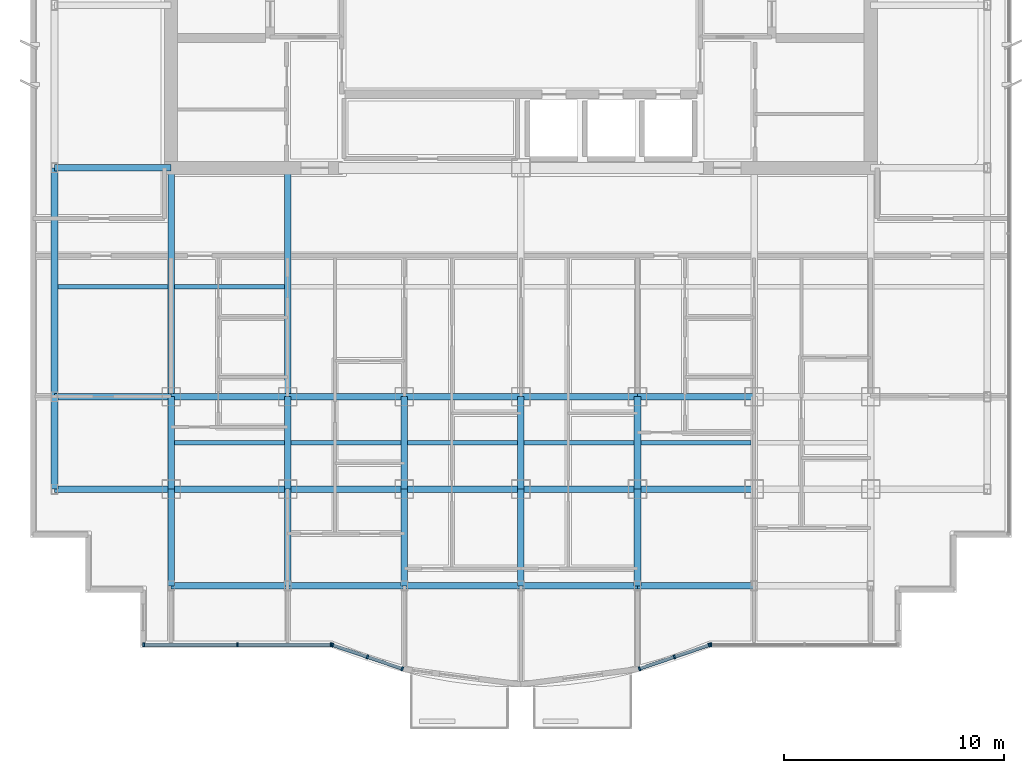
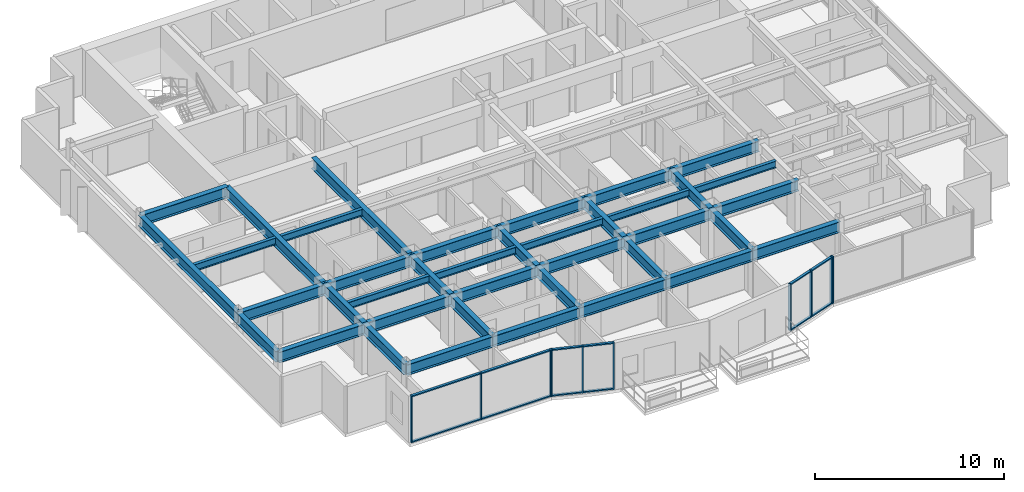
# One storey, part 2 of 13: 39 beams, 22 members, 4 elements without a shape of their own.
"""IFC4 building model written with IfcOpenShell, lengths in metres."""

from ifc_helpers import new_model, si_unit, direction, frame, origin, origin_2d, place, context, subcontext, project, spatial, rectangle, i_section, extrude, source, transform, mapped, material, layer, layer_set, material_profile, profile_set, type_object, element, aggregate, save


model = new_model("IFC4")

# Units and contexts
model_context = context("Model", 3, precision=1e-05, world=origin(), true_north=direction((0.0, 1.0)))
body_context = subcontext(model_context, "Body", "Model", "MODEL_VIEW")
ifc_project = project(units=[si_unit("LENGTHUNIT", "METRE"), si_unit("AREAUNIT", "SQUARE_METRE"), si_unit("VOLUMEUNIT", "CUBIC_METRE"), si_unit("PLANEANGLEUNIT", "RADIAN"), si_unit("MASSUNIT", "GRAM", prefix="KILO")], contexts=[model_context])

# Site, building, storey
site_placement = place(None, origin())
site = spatial("IfcSite", under=ifc_project, at=site_placement, CompositionType="ELEMENT")
building_placement = place(site_placement, origin())
building = spatial("IfcBuilding", under=site, at=building_placement, Name="Qianlan Lanfeng Residences", CompositionType="ELEMENT")
storey_placement = place(building_placement, frame((0.0, 0.0, 182.10009765625)))
storey = spatial("IfcBuildingStorey", under=building, at=storey_placement, Name="L50", CompositionType="ELEMENT", Elevation=182.10009765625)

# Beams
ifc_material_1 = material(Name="Steel SN490B", Category="steel")
ifc_material_profile_1 = material_profile(ifc_material_1, i_section(OverallWidth=0.300048828125, OverallDepth=0.699951171875, WebThickness=0.012939453125, FlangeThickness=0.02392578125, at=origin_2d()), Name="H 700x300x13x24")
ifc_profile_set_1 = profile_set([ifc_material_profile_1], Name="Steel SN490B")
beam_type_1 = type_object("IfcBeamType", Name="G-750", PredefinedType="BEAM", material=ifc_profile_set_1)
beam_1_placement = place(storey_placement, frame((5.300048828125, 10.60009765625, 2.679931640625), z_axis=(1.0, 0.0, 0.0), x_axis=(0.0, 1.0, 0.0)))
element("IfcBeam", 1, at=beam_1_placement, inside=storey, type_object=beam_type_1, Name="Structural beam G-750", PredefinedType="BEAM", context=body_context, shape_type="SweptSolid", body=[
    extrude(i_section(OverallWidth=0.300048828125, OverallDepth=0.699951171875, WebThickness=0.012939453125, FlangeThickness=0.02392578125, at=origin_2d()), origin(), (0.0, 0.0, 1.0), 5.300048828125),
])
beam_2_placement = place(storey_placement, frame((10.60009765625, 10.60009765625, 2.679931640625), z_axis=(1.0, 0.0, 0.0), x_axis=(0.0, 1.0, 0.0)))
element("IfcBeam", 2, at=beam_2_placement, inside=storey, type_object=beam_type_1, Name="Structural beam G-750", PredefinedType="BEAM", context=body_context, shape_type="SweptSolid", body=[
    extrude(i_section(OverallWidth=0.300048828125, OverallDepth=0.699951171875, WebThickness=0.012939453125, FlangeThickness=0.02392578125, at=origin_2d()), origin(), (0.0, 0.0, 1.0), 5.2998046875),
])
for number, where, z_axis, x_axis, name in (
    (3, (15.89990234375, 10.60009765625, 2.679931640625), (1.0, 0.0, 0.0), (0.0, 1.0, 0.0), "Structural beam G-750"),
    (4, (21.199951171875, 10.60009765625, 2.679931640625), (1.0, 0.0, 0.0), (0.0, 1.0, 0.0), "Structural beam G-750"),
    (5, (26.5, 10.60009765625, 2.679931640625), (1.0, 0.0, 0.0), (0.0, 1.0, 0.0), "Structural beam G-750"),
    (6, (31.800048828125, 10.60009765625, 2.679931640625), (1.0, 0.0, 0.0), (0.0, 1.0, 0.0), "Structural beam G-750"),
    (7, (5.300048828125, 14.800048828125, 2.679931640625), (1.0, 0.0, 0.0), (0.0, 1.0, 0.0), "Structural beam G-750"),
):
    element("IfcBeam", number, at=place(storey_placement, frame(where, z_axis=z_axis, x_axis=x_axis)), inside=storey, type_object=beam_type_1, Name=name, PredefinedType="BEAM", context=body_context, shape_type="SweptSolid", body=[
        extrude(i_section(OverallWidth=0.300048828125, OverallDepth=0.699951171875, WebThickness=0.012939453125, FlangeThickness=0.02392578125, at=origin_2d()), origin(), (0.0, 0.0, 1.0), 5.300048828125),
    ])
beam_3_placement = place(storey_placement, frame((10.60009765625, 14.800048828125, 2.679931640625), z_axis=(1.0, 0.0, 0.0), x_axis=(0.0, 1.0, 0.0)))
element("IfcBeam", 8, at=beam_3_placement, inside=storey, type_object=beam_type_1, Name="Structural beam G-750", PredefinedType="BEAM", context=body_context, shape_type="SweptSolid", body=[
    extrude(i_section(OverallWidth=0.300048828125, OverallDepth=0.699951171875, WebThickness=0.012939453125, FlangeThickness=0.02392578125, at=origin_2d()), origin(), (0.0, 0.0, 1.0), 5.2998046875),
])
for number, where, z_axis, x_axis, name in (
    (9, (15.89990234375, 14.800048828125, 2.679931640625), (1.0, 0.0, 0.0), (0.0, 1.0, 0.0), "Structural beam G-750"),
    (10, (21.199951171875, 14.800048828125, 2.679931640625), (1.0, 0.0, 0.0), (0.0, 1.0, 0.0), "Structural beam G-750"),
    (11, (26.5, 14.800048828125, 2.679931640625), (1.0, 0.0, 0.0), (0.0, 1.0, 0.0), "Structural beam G-750"),
    (12, (31.800048828125, 14.800048828125, 2.679931640625), (1.0, 0.0, 0.0), (0.0, 1.0, 0.0), "Structural beam G-750"),
    (13, (5.300048828125, 25.199951171875, 2.679931640625), (1.0, 0.0, 0.0), (0.0, 1.0, 0.0), "Structural beam G-750"),
):
    element("IfcBeam", number, at=place(storey_placement, frame(where, z_axis=z_axis, x_axis=x_axis)), inside=storey, type_object=beam_type_1, Name=name, PredefinedType="BEAM", context=body_context, shape_type="SweptSolid", body=[
        extrude(i_section(OverallWidth=0.300048828125, OverallDepth=0.699951171875, WebThickness=0.012939453125, FlangeThickness=0.02392578125, at=origin_2d()), origin(), (0.0, 0.0, 1.0), 5.300048828125),
    ])
beam_4_placement = place(storey_placement, frame((10.60009765625, 6.199951171875, 2.679931640625), z_axis=(0.0, 1.0, 0.0), x_axis=(-1.0, 0.0, 0.0)))
element("IfcBeam", 14, at=beam_4_placement, inside=storey, type_object=beam_type_1, Name="Structural beam G-750", PredefinedType="BEAM", context=body_context, shape_type="SweptSolid", body=[
    extrude(i_section(OverallWidth=0.300048828125, OverallDepth=0.699951171875, WebThickness=0.012939453125, FlangeThickness=0.02392578125, at=origin_2d()), origin(), (0.0, 0.0, 1.0), 4.400146484375),
])
beam_5_placement = place(storey_placement, frame((10.60009765625, 10.60009765625, 2.679931640625), z_axis=(0.0, 1.0, 0.0), x_axis=(-1.0, 0.0, 0.0)))
element("IfcBeam", 15, at=beam_5_placement, inside=storey, type_object=beam_type_1, Name="Structural beam G-750", PredefinedType="BEAM", context=body_context, shape_type="SweptSolid", body=[
    extrude(i_section(OverallWidth=0.300048828125, OverallDepth=0.699951171875, WebThickness=0.012939453125, FlangeThickness=0.02392578125, at=origin_2d()), origin(), (0.0, 0.0, 1.0), 4.199951171875),
])
beam_6_placement = place(storey_placement, frame((10.60009765625, 14.800048828125, 2.679931640625), z_axis=(0.0, 1.0, 0.0), x_axis=(-1.0, 0.0, 0.0)))
element("IfcBeam", 16, at=beam_6_placement, inside=storey, type_object=beam_type_1, Name="Structural beam G-750", PredefinedType="BEAM", context=body_context, shape_type="SweptSolid", body=[
    extrude(i_section(OverallWidth=0.300048828125, OverallDepth=0.699951171875, WebThickness=0.012939453125, FlangeThickness=0.02392578125, at=origin_2d()), origin(), (0.0, 0.0, 1.0), 10.39990234375),
])
beam_7_placement = place(storey_placement, frame((15.89990234375, 6.199951171875, 2.679931640625), z_axis=(0.0, 1.0, 0.0), x_axis=(-1.0, 0.0, 0.0)))
element("IfcBeam", 17, at=beam_7_placement, inside=storey, type_object=beam_type_1, Name="Structural beam G-750", PredefinedType="BEAM", context=body_context, shape_type="SweptSolid", body=[
    extrude(i_section(OverallWidth=0.300048828125, OverallDepth=0.699951171875, WebThickness=0.012939453125, FlangeThickness=0.02392578125, at=origin_2d()), origin(), (0.0, 0.0, 1.0), 4.400146484375),
])
beam_8_placement = place(storey_placement, frame((15.89990234375, 10.60009765625, 2.679931640625), z_axis=(0.0, 1.0, 0.0), x_axis=(-1.0, 0.0, 0.0)))
element("IfcBeam", 18, at=beam_8_placement, inside=storey, type_object=beam_type_1, Name="Structural beam G-750", PredefinedType="BEAM", context=body_context, shape_type="SweptSolid", body=[
    extrude(i_section(OverallWidth=0.300048828125, OverallDepth=0.699951171875, WebThickness=0.012939453125, FlangeThickness=0.02392578125, at=origin_2d()), origin(), (0.0, 0.0, 1.0), 4.199951171875),
])
beam_9_placement = place(storey_placement, frame((15.89990234375, 14.800048828125, 2.679931640625), z_axis=(0.0, 1.0, 0.0), x_axis=(-1.0, 0.0, 0.0)))
element("IfcBeam", 19, at=beam_9_placement, inside=storey, type_object=beam_type_1, Name="Structural beam G-750", PredefinedType="BEAM", context=body_context, shape_type="SweptSolid", body=[
    extrude(i_section(OverallWidth=0.300048828125, OverallDepth=0.699951171875, WebThickness=0.012939453125, FlangeThickness=0.02392578125, at=origin_2d()), origin(), (0.0, 0.0, 1.0), 10.39990234375),
])
beam_10_placement = place(storey_placement, frame((21.199951171875, 6.199951171875, 2.679931640625), z_axis=(0.0, 1.0, 0.0), x_axis=(-1.0, 0.0, 0.0)))
element("IfcBeam", 20, at=beam_10_placement, inside=storey, type_object=beam_type_1, Name="Structural beam G-750", PredefinedType="BEAM", context=body_context, shape_type="SweptSolid", body=[
    extrude(i_section(OverallWidth=0.300048828125, OverallDepth=0.699951171875, WebThickness=0.012939453125, FlangeThickness=0.02392578125, at=origin_2d()), origin(), (0.0, 0.0, 1.0), 4.400146484375),
])
beam_11_placement = place(storey_placement, frame((21.199951171875, 10.60009765625, 2.679931640625), z_axis=(0.0, 1.0, 0.0), x_axis=(-1.0, 0.0, 0.0)))
element("IfcBeam", 21, at=beam_11_placement, inside=storey, type_object=beam_type_1, Name="Structural beam G-750", PredefinedType="BEAM", context=body_context, shape_type="SweptSolid", body=[
    extrude(i_section(OverallWidth=0.300048828125, OverallDepth=0.699951171875, WebThickness=0.012939453125, FlangeThickness=0.02392578125, at=origin_2d()), origin(), (0.0, 0.0, 1.0), 4.199951171875),
])
beam_12_placement = place(storey_placement, frame((26.5, 6.199951171875, 2.679931640625), z_axis=(0.0, 1.0, 0.0), x_axis=(-1.0, 0.0, 0.0)))
element("IfcBeam", 22, at=beam_12_placement, inside=storey, type_object=beam_type_1, Name="Structural beam G-750", PredefinedType="BEAM", context=body_context, shape_type="SweptSolid", body=[
    extrude(i_section(OverallWidth=0.300048828125, OverallDepth=0.699951171875, WebThickness=0.012939453125, FlangeThickness=0.02392578125, at=origin_2d()), origin(), (0.0, 0.0, 1.0), 4.400146484375),
])
beam_13_placement = place(storey_placement, frame((26.5, 10.60009765625, 2.679931640625), z_axis=(0.0, 1.0, 0.0), x_axis=(-1.0, 0.0, 0.0)))
element("IfcBeam", 23, at=beam_13_placement, inside=storey, type_object=beam_type_1, Name="Structural beam G-750", PredefinedType="BEAM", context=body_context, shape_type="SweptSolid", body=[
    extrude(i_section(OverallWidth=0.300048828125, OverallDepth=0.699951171875, WebThickness=0.012939453125, FlangeThickness=0.02392578125, at=origin_2d()), origin(), (0.0, 0.0, 1.0), 4.199951171875),
])
beam_14_placement = place(storey_placement, frame((31.800048828125, 6.199951171875, 2.679931640625), z_axis=(0.0, 1.0, 0.0), x_axis=(-1.0, 0.0, 0.0)))
element("IfcBeam", 24, at=beam_14_placement, inside=storey, type_object=beam_type_1, Name="Structural beam G-750", PredefinedType="BEAM", context=body_context, shape_type="SweptSolid", body=[
    extrude(i_section(OverallWidth=0.300048828125, OverallDepth=0.699951171875, WebThickness=0.012939453125, FlangeThickness=0.02392578125, at=origin_2d()), origin(), (0.0, 0.0, 1.0), 4.400146484375),
])
beam_15_placement = place(storey_placement, frame((31.800048828125, 10.60009765625, 2.679931640625), z_axis=(0.0, 1.0, 0.0), x_axis=(-1.0, 0.0, 0.0)))
element("IfcBeam", 25, at=beam_15_placement, inside=storey, type_object=beam_type_1, Name="Structural beam G-750", PredefinedType="BEAM", context=body_context, shape_type="SweptSolid", body=[
    extrude(i_section(OverallWidth=0.300048828125, OverallDepth=0.699951171875, WebThickness=0.012939453125, FlangeThickness=0.02392578125, at=origin_2d()), origin(), (0.0, 0.0, 1.0), 4.199951171875),
])
ifc_material_profile_2 = material_profile(ifc_material_1, i_section(OverallWidth=0.199951171875, OverallDepth=0.449951171875, WebThickness=0.009033203125, FlangeThickness=0.013916015625, at=origin_2d()), Name="H 450x200x9x14")
ifc_profile_set_2 = profile_set([ifc_material_profile_2], Name="Steel SN490B")
beam_type_2 = type_object("IfcBeamType", Name="J-450", PredefinedType="JOIST", material=ifc_profile_set_2)
for number, where, z_axis, x_axis, name in (
    (26, (10.75, 12.699951171875, 2.804931640625), (1.0, 0.0, 0.0), (0.0, 1.0, 0.0), "Structural beam J-450"),
    (27, (16.050048828125, 12.699951171875, 2.804931640625), (1.0, 0.0, 0.0), (0.0, 1.0, 0.0), "Structural beam J-450"),
    (28, (21.35009765625, 12.699951171875, 2.804931640625), (1.0, 0.0, 0.0), (0.0, 1.0, 0.0), "Structural beam J-450"),
    (29, (26.64990234375, 12.699951171875, 2.804931640625), (1.0, 0.0, 0.0), (0.0, 1.0, 0.0), "Structural beam J-450"),
    (30, (31.949951171875, 12.699951171875, 2.804931640625), (1.0, 0.0, 0.0), (0.0, 1.0, 0.0), "Structural beam J-450"),
    (31, (5.449951171875, 19.800048828125, 2.804931640625), (1.0, 0.0, 0.0), (0.0, 1.0, 0.0), "Structural beam J-450"),
    (32, (10.75, 19.800048828125, 2.804931640625), (1.0, 0.0, 0.0), (0.0, 1.0, 0.0), "Structural beam J-450"),
):
    element("IfcBeam", number, at=place(storey_placement, frame(where, z_axis=z_axis, x_axis=x_axis)), inside=storey, type_object=beam_type_2, Name=name, PredefinedType="JOIST", context=body_context, shape_type="SweptSolid", body=[
        extrude(i_section(OverallWidth=0.199951171875, OverallDepth=0.449951171875, WebThickness=0.009033203125, FlangeThickness=0.013916015625, at=origin_2d()), origin(), (0.0, 0.0, 1.0), 5.0),
    ])
ifc_material_profile_3 = material_profile(ifc_material_1, i_section(OverallWidth=0.300048828125, OverallDepth=0.699951171875, WebThickness=0.012939453125, FlangeThickness=0.02392578125, at=origin_2d()), Name="H 700x300x13x24")
ifc_profile_set_3 = profile_set([ifc_material_profile_3], Name="Steel SN490B")
beam_type_3 = type_object("IfcBeamType", Name="SG-750", PredefinedType="SPANDREL", material=ifc_profile_set_3)
beam_16_placement = place(storey_placement, frame((10.60009765625, 6.199951171875, 2.679931640625), z_axis=(1.0, 0.0, 0.0), x_axis=(0.0, 1.0, 0.0)))
element("IfcBeam", 33, at=beam_16_placement, inside=storey, type_object=beam_type_3, Name="Structural beam SG-750", PredefinedType="SPANDREL", context=body_context, shape_type="SweptSolid", body=[
    extrude(i_section(OverallWidth=0.300048828125, OverallDepth=0.699951171875, WebThickness=0.012939453125, FlangeThickness=0.02392578125, at=origin_2d()), origin(), (0.0, 0.0, 1.0), 5.2998046875),
])
for number, where, z_axis, x_axis, name in (
    (34, (15.89990234375, 6.199951171875, 2.679931640625), (1.0, 0.0, 0.0), (0.0, 1.0, 0.0), "Structural beam SG-750"),
    (35, (21.199951171875, 6.199951171875, 2.679931640625), (1.0, 0.0, 0.0), (0.0, 1.0, 0.0), "Structural beam SG-750"),
    (36, (26.5, 6.199951171875, 2.679931640625), (1.0, 0.0, 0.0), (0.0, 1.0, 0.0), "Structural beam SG-750"),
    (37, (31.800048828125, 6.199951171875, 2.679931640625), (1.0, 0.0, 0.0), (0.0, 1.0, 0.0), "Structural beam SG-750"),
):
    element("IfcBeam", number, at=place(storey_placement, frame(where, z_axis=z_axis, x_axis=x_axis)), inside=storey, type_object=beam_type_3, Name=name, PredefinedType="SPANDREL", context=body_context, shape_type="SweptSolid", body=[
        extrude(i_section(OverallWidth=0.300048828125, OverallDepth=0.699951171875, WebThickness=0.012939453125, FlangeThickness=0.02392578125, at=origin_2d()), origin(), (0.0, 0.0, 1.0), 5.300048828125),
    ])
beam_17_placement = place(storey_placement, frame((5.300048828125, 10.60009765625, 2.679931640625), z_axis=(0.0, 1.0, 0.0), x_axis=(-1.0, 0.0, 0.0)))
element("IfcBeam", 38, at=beam_17_placement, inside=storey, type_object=beam_type_3, Name="Structural beam SG-750", PredefinedType="SPANDREL", context=body_context, shape_type="SweptSolid", body=[
    extrude(i_section(OverallWidth=0.300048828125, OverallDepth=0.699951171875, WebThickness=0.012939453125, FlangeThickness=0.02392578125, at=origin_2d()), origin(), (0.0, 0.0, 1.0), 4.199951171875),
])
beam_18_placement = place(storey_placement, frame((5.300048828125, 14.800048828125, 2.679931640625), z_axis=(0.0, 1.0, 0.0), x_axis=(-1.0, 0.0, 0.0)))
element("IfcBeam", 39, at=beam_18_placement, inside=storey, type_object=beam_type_3, Name="Structural beam SG-750", PredefinedType="SPANDREL", context=body_context, shape_type="SweptSolid", body=[
    extrude(i_section(OverallWidth=0.300048828125, OverallDepth=0.699951171875, WebThickness=0.012939453125, FlangeThickness=0.02392578125, at=origin_2d()), origin(), (0.0, 0.0, 1.0), 10.39990234375),
])

# Curtain wall, members
ifc_material_2 = material(Name="Anodised Bronze Aluminium 6063-T6", Category="aluminium")
ifc_layer = layer(ifc_material_2, 0.219970703125)
ifc_layer_set = layer_set([ifc_layer], Name="Anodised Bronze Aluminium 6063-T6")
curtain_wall_type = type_object("IfcCurtainWallType", Name="CW-04", PredefinedType="NOTDEFINED", material=ifc_layer_set)
curtain_wall_1_placement = place(storey_placement, origin())
curtain_wall_1 = element("IfcCurtainWall", 40, at=curtain_wall_1_placement, inside=storey, type_object=curtain_wall_type, Name="L50 Unitised Curtain Wall CWR-L50-01 (CW-04)", PredefinedType="NOTDEFINED")
ifc_material_profile_4 = material_profile(ifc_material_2, rectangle(XDim=0.074951171875, YDim=0.14990234375, at=origin_2d()), Name="ALU TRANSOM 75x150")
ifc_profile_set_4 = profile_set([ifc_material_profile_4], Name="Anodised Bronze Aluminium 6063-T6")
member_type_1 = type_object("IfcMemberType", Name="CWT-150", PredefinedType="USERDEFINED", material=ifc_profile_set_4)
shared_shape_1 = source(origin(), body_context, "Body", "SweptSolid", [
    extrude(rectangle(XDim=0.074951171875, YDim=0.14990234375, at=origin_2d()), origin(), (0.0, 0.0, 1.0), 4.178955078125),
])
member_1_placement = place(storey_placement, frame((9.39501953125, 3.52001953125, 0.037353515625), z_axis=(1.0, 0.0, 0.0), x_axis=(0.0, 0.0, 1.0)))
member_1 = element("IfcMember", 41, at=member_1_placement, type_object=member_type_1, Name="CWR-L50-01 Transom 1-BOT", ObjectType="TRANSOM", PredefinedType="USERDEFINED", context=body_context, shape_type="MappedRepresentation", body=[
    mapped(shared_shape_1, transform((0.0, 0.0, 0.0), scale=1.0)),
])
member_2_placement = place(storey_placement, frame((9.39501953125, 3.52001953125, 2.992431640625), z_axis=(1.0, 0.0, 0.0), x_axis=(0.0, 0.0, 1.0)))
member_2 = element("IfcMember", 42, at=member_2_placement, type_object=member_type_1, Name="CWR-L50-01 Transom 1-TOP", ObjectType="TRANSOM", PredefinedType="USERDEFINED", context=body_context, shape_type="MappedRepresentation", body=[
    mapped(shared_shape_1, transform((0.0, 0.0, 0.0), scale=1.0)),
])
member_3_placement = place(storey_placement, frame((13.64892578125, 3.52001953125, 0.037353515625), z_axis=(1.0, 0.0, 0.0), x_axis=(0.0, 0.0, 1.0)))
member_3 = element("IfcMember", 43, at=member_3_placement, type_object=member_type_1, Name="CWR-L50-01 Transom 2-BOT", ObjectType="TRANSOM", PredefinedType="USERDEFINED", context=body_context, shape_type="MappedRepresentation", body=[
    mapped(shared_shape_1, transform((0.0, 0.0, 0.0), scale=1.0)),
])
member_4_placement = place(storey_placement, frame((13.64892578125, 3.52001953125, 2.992431640625), z_axis=(1.0, 0.0, 0.0), x_axis=(0.0, 0.0, 1.0)))
member_4 = element("IfcMember", 44, at=member_4_placement, type_object=member_type_1, Name="CWR-L50-01 Transom 2-TOP", ObjectType="TRANSOM", PredefinedType="USERDEFINED", context=body_context, shape_type="MappedRepresentation", body=[
    mapped(shared_shape_1, transform((0.0, 0.0, 0.0), scale=1.0)),
])

curtain_wall_2_placement = place(storey_placement, origin())
curtain_wall_2 = element("IfcCurtainWall", 45, at=curtain_wall_2_placement, inside=storey, type_object=curtain_wall_type, Name="L50 Unitised Curtain Wall CWR-L50-02 (CW-04)", PredefinedType="NOTDEFINED")
shared_shape_2 = source(origin(), body_context, "Body", "SweptSolid", [
    extrude(rectangle(XDim=0.074951171875, YDim=0.14990234375, at=origin_2d()), origin(), (0.0, 0.0, 1.0), 1.597900390625),
])
member_5_placement = place(storey_placement, frame((17.97412109375, 3.495849609375, 0.037353515625), z_axis=(0.946818368584, -0.321768514481, 0.0), x_axis=(0.0, 0.0, 1.0)))
member_5 = element("IfcMember", 46, at=member_5_placement, type_object=member_type_1, Name="CWR-L50-02 Transom 1-BOT", ObjectType="TRANSOM", PredefinedType="USERDEFINED", context=body_context, shape_type="MappedRepresentation", body=[
    mapped(shared_shape_2, transform((0.0, 0.0, 0.0), scale=1.0)),
])
member_6_placement = place(storey_placement, frame((17.97412109375, 3.495849609375, 2.992431640625), z_axis=(0.946818368584, -0.321768514481, 0.0), x_axis=(0.0, 0.0, 1.0)))
member_6 = element("IfcMember", 47, at=member_6_placement, type_object=member_type_1, Name="CWR-L50-02 Transom 1-TOP", ObjectType="TRANSOM", PredefinedType="USERDEFINED", context=body_context, shape_type="MappedRepresentation", body=[
    mapped(shared_shape_2, transform((0.0, 0.0, 0.0), scale=1.0)),
])
member_7_placement = place(storey_placement, frame((19.55810546875, 2.95751953125, 0.037353515625), z_axis=(0.94677181357, -0.321905472195, 0.0), x_axis=(0.0, 0.0, 1.0)))
member_7 = element("IfcMember", 48, at=member_7_placement, type_object=member_type_1, Name="CWR-L50-02 Transom 2-BOT", ObjectType="TRANSOM", PredefinedType="USERDEFINED", context=body_context, shape_type="MappedRepresentation", body=[
    mapped(shared_shape_2, transform((0.0, 0.0, 0.0), scale=1.0)),
])
member_8_placement = place(storey_placement, frame((19.55810546875, 2.95751953125, 2.992431640625), z_axis=(0.94677181357, -0.321905472195, 0.0), x_axis=(0.0, 0.0, 1.0)))
member_8 = element("IfcMember", 49, at=member_8_placement, type_object=member_type_1, Name="CWR-L50-02 Transom 2-TOP", ObjectType="TRANSOM", PredefinedType="USERDEFINED", context=body_context, shape_type="MappedRepresentation", body=[
    mapped(shared_shape_2, transform((0.0, 0.0, 0.0), scale=1.0)),
])

curtain_wall_3_placement = place(storey_placement, origin())
curtain_wall_3 = element("IfcCurtainWall", 50, at=curtain_wall_3_placement, inside=storey, type_object=curtain_wall_type, Name="L50 Unitised Curtain Wall CWR-L50-03 (CW-04)", PredefinedType="NOTDEFINED")
shared_shape_3 = source(origin(), body_context, "Body", "SweptSolid", [
    extrude(rectangle(XDim=0.074951171875, YDim=0.14990234375, at=origin_2d()), origin(), (0.0, 0.0, 1.0), 1.598388671875),
])
member_9_placement = place(storey_placement, frame((31.927978515625, 2.443115234375, 0.037353515625), z_axis=(0.946803462724, 0.321812372312, 0.0), x_axis=(0.0, 0.0, 1.0)))
member_9 = element("IfcMember", 51, at=member_9_placement, type_object=member_type_1, Name="CWR-L50-03 Transom 1-BOT", ObjectType="TRANSOM", PredefinedType="USERDEFINED", context=body_context, shape_type="MappedRepresentation", body=[
    mapped(shared_shape_3, transform((0.0, 0.0, 0.0), scale=1.0)),
])
member_10_placement = place(storey_placement, frame((31.927978515625, 2.443115234375, 2.992431640625), z_axis=(0.946803462724, 0.321812372312, 0.0), x_axis=(0.0, 0.0, 1.0)))
member_10 = element("IfcMember", 52, at=member_10_placement, type_object=member_type_1, Name="CWR-L50-03 Transom 1-TOP", ObjectType="TRANSOM", PredefinedType="USERDEFINED", context=body_context, shape_type="MappedRepresentation", body=[
    mapped(shared_shape_3, transform((0.0, 0.0, 0.0), scale=1.0)),
])
member_11_placement = place(storey_placement, frame((33.512451171875, 2.981689453125, 0.037353515625), z_axis=(0.946849992367, 0.32167544506, 0.0), x_axis=(0.0, 0.0, 1.0)))
member_11 = element("IfcMember", 53, at=member_11_placement, type_object=member_type_1, Name="CWR-L50-03 Transom 2-BOT", ObjectType="TRANSOM", PredefinedType="USERDEFINED", context=body_context, shape_type="MappedRepresentation", body=[
    mapped(shared_shape_3, transform((0.0, 0.0, 0.0), scale=1.0)),
])
member_12_placement = place(storey_placement, frame((33.512451171875, 2.981689453125, 2.992431640625), z_axis=(0.946849992367, 0.32167544506, 0.0), x_axis=(0.0, 0.0, 1.0)))
member_12 = element("IfcMember", 54, at=member_12_placement, type_object=member_type_1, Name="CWR-L50-03 Transom 2-TOP", ObjectType="TRANSOM", PredefinedType="USERDEFINED", context=body_context, shape_type="MappedRepresentation", body=[
    mapped(shared_shape_3, transform((0.0, 0.0, 0.0), scale=1.0)),
])

# Member
ifc_material_profile_5 = material_profile(ifc_material_2, rectangle(XDim=0.074951171875, YDim=0.179931640625, at=origin_2d()), Name="ALU MULLION 75x180")
ifc_profile_set_5 = profile_set([ifc_material_profile_5], Name="Anodised Bronze Aluminium 6063-T6")
member_type_2 = type_object("IfcMemberType", Name="CWM-180", PredefinedType="MULLION", material=ifc_profile_set_5)
shared_shape_4 = source(origin(), body_context, "Body", "SweptSolid", [
    extrude(rectangle(XDim=0.074951171875, YDim=0.179931640625, at=origin_2d()), origin(), (0.0, 0.0, 1.0), 3.02978515625),
])
member_13_placement = place(storey_placement, frame((9.357421875, 3.52001953125, 0.0), z_axis=(0.0, 0.0, 1.0), x_axis=(1.0, 0.0, 0.0)))
member_13 = element("IfcMember", 55, at=member_13_placement, type_object=member_type_2, Name="CWR-L50-01 Mullion 1", PredefinedType="MULLION", context=body_context, shape_type="MappedRepresentation", body=[
    mapped(shared_shape_4, transform((0.0, 0.0, 0.0), scale=1.0)),
])

member_14_placement = place(storey_placement, frame((13.611572265625, 3.52001953125, 0.0), z_axis=(0.0, 0.0, 1.0), x_axis=(1.0, 0.0, 0.0)))
member_14 = element("IfcMember", 56, at=member_14_placement, type_object=member_type_2, Name="CWR-L50-01 Mullion 2", PredefinedType="MULLION", context=body_context, shape_type="MappedRepresentation", body=[
    mapped(shared_shape_4, transform((0.0, 0.0, 0.0), scale=1.0)),
])

member_15_placement = place(storey_placement, frame((17.865478515625, 3.52001953125, 0.0), z_axis=(0.0, 0.0, 1.0), x_axis=(1.0, 0.0, 0.0)))
member_15 = element("IfcMember", 57, at=member_15_placement, type_object=member_type_2, Name="CWR-L50-01 Mullion 3", PredefinedType="MULLION", context=body_context, shape_type="MappedRepresentation", body=[
    mapped(shared_shape_4, transform((0.0, 0.0, 0.0), scale=1.0)),
])

aggregate(curtain_wall_1, [member_13, member_14, member_15, member_1, member_2, member_3, member_4])

member_16_placement = place(storey_placement, frame((17.9384765625, 3.5078125, 0.0), z_axis=(0.0, 0.0, 1.0), x_axis=(0.946795963885, -0.321834433787, 0.0)))
member_16 = element("IfcMember", 58, at=member_16_placement, type_object=member_type_2, Name="CWR-L50-02 Mullion 1", PredefinedType="MULLION", context=body_context, shape_type="MappedRepresentation", body=[
    mapped(shared_shape_4, transform((0.0, 0.0, 0.0), scale=1.0)),
])

member_17_placement = place(storey_placement, frame((19.5224609375, 2.969482421875, 0.0), z_axis=(0.0, 0.0, 1.0), x_axis=(0.946795963885, -0.321834433787, 0.0)))
member_17 = element("IfcMember", 59, at=member_17_placement, type_object=member_type_2, Name="CWR-L50-02 Mullion 2", PredefinedType="MULLION", context=body_context, shape_type="MappedRepresentation", body=[
    mapped(shared_shape_4, transform((0.0, 0.0, 0.0), scale=1.0)),
])

member_18_placement = place(storey_placement, frame((21.1064453125, 2.43115234375, 0.0), z_axis=(0.0, 0.0, 1.0), x_axis=(0.946795963885, -0.321834433787, 0.0)))
member_18 = element("IfcMember", 60, at=member_18_placement, type_object=member_type_2, Name="CWR-L50-02 Mullion 3", PredefinedType="MULLION", context=body_context, shape_type="MappedRepresentation", body=[
    mapped(shared_shape_4, transform((0.0, 0.0, 0.0), scale=1.0)),
])

aggregate(curtain_wall_2, [member_16, member_17, member_18, member_5, member_6, member_7, member_8])

member_19_placement = place(storey_placement, frame((31.892578125, 2.43115234375, 0.0), z_axis=(0.0, 0.0, 1.0), x_axis=(0.946826291861, 0.32174519894, 0.0)))
member_19 = element("IfcMember", 61, at=member_19_placement, type_object=member_type_2, Name="CWR-L50-03 Mullion 1", PredefinedType="MULLION", context=body_context, shape_type="MappedRepresentation", body=[
    mapped(shared_shape_4, transform((0.0, 0.0, 0.0), scale=1.0)),
])

member_20_placement = place(storey_placement, frame((33.47705078125, 2.969482421875, 0.0), z_axis=(0.0, 0.0, 1.0), x_axis=(0.946826291861, 0.32174519894, 0.0)))
member_20 = element("IfcMember", 62, at=member_20_placement, type_object=member_type_2, Name="CWR-L50-03 Mullion 2", PredefinedType="MULLION", context=body_context, shape_type="MappedRepresentation", body=[
    mapped(shared_shape_4, transform((0.0, 0.0, 0.0), scale=1.0)),
])

member_21_placement = place(storey_placement, frame((35.0615234375, 3.5078125, 0.0), z_axis=(0.0, 0.0, 1.0), x_axis=(0.946826291861, 0.32174519894, 0.0)))
member_21 = element("IfcMember", 63, at=member_21_placement, type_object=member_type_2, Name="CWR-L50-03 Mullion 3", PredefinedType="MULLION", context=body_context, shape_type="MappedRepresentation", body=[
    mapped(shared_shape_4, transform((0.0, 0.0, 0.0), scale=1.0)),
])

aggregate(curtain_wall_3, [member_19, member_20, member_21, member_9, member_10, member_11, member_12])

# Curtain wall, member
curtain_wall_4_placement = place(storey_placement, origin())
curtain_wall_4 = element("IfcCurtainWall", 64, at=curtain_wall_4_placement, inside=storey, type_object=curtain_wall_type, Name="L50 Unitised Curtain Wall CWR-L50-04 (CW-04)", PredefinedType="NOTDEFINED")
member_22_placement = place(storey_placement, frame((35.134521484375, 3.52001953125, 0.0), z_axis=(0.0, 0.0, 1.0), x_axis=(1.0, 0.0, 0.0)))
member_22 = element("IfcMember", 65, at=member_22_placement, type_object=member_type_2, Name="CWR-L50-04 Mullion 1", PredefinedType="MULLION", context=body_context, shape_type="MappedRepresentation", body=[
    mapped(shared_shape_4, transform((0.0, 0.0, 0.0), scale=1.0)),
])
aggregate(curtain_wall_4, [member_22])

save(model, "model.ifc")
